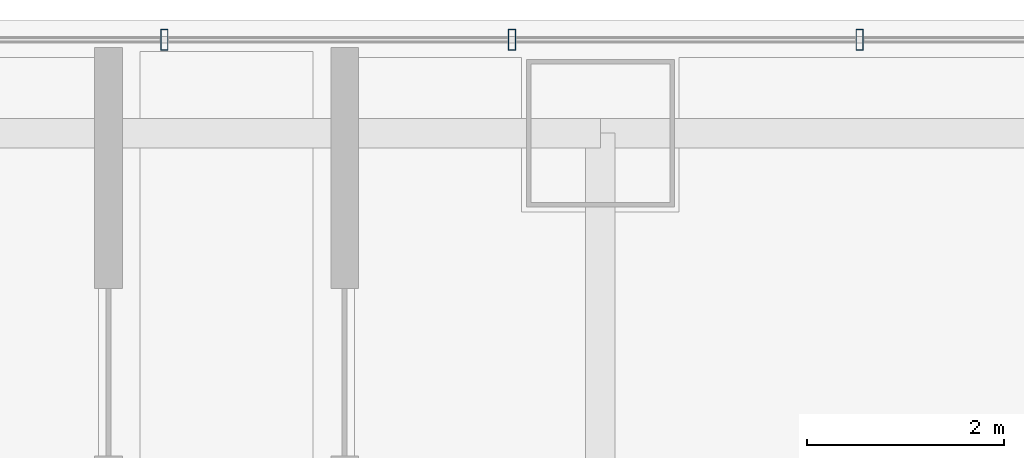
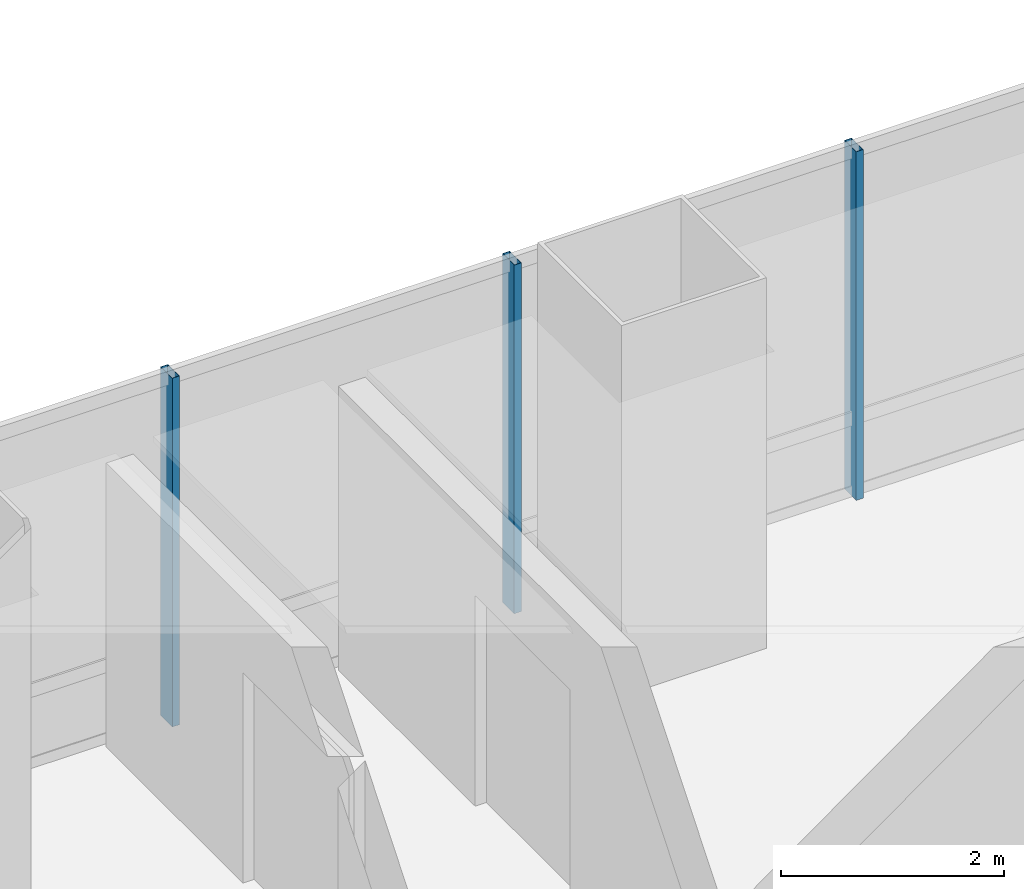
# One storey, part 23 of 36: 3 members, 1 element without a shape of its own.
"""IFC4 building model written with IfcOpenShell, lengths in metres."""

from ifc_helpers import new_model, si_unit, direction, frame, origin, origin_2d, place, context, subcontext, project, spatial, hollow_rectangle, extrude, material, material_profile, profile_set, type_object, element, aggregate, save


model = new_model("IFC4")

# Units and contexts
model_context = context("Model", 3, precision=1e-05, world=origin(), true_north=direction((0.0, 1.0)))
body_context = subcontext(model_context, "Body", "Model", "MODEL_VIEW")
ifc_project = project(units=[si_unit("LENGTHUNIT", "METRE"), si_unit("AREAUNIT", "SQUARE_METRE"), si_unit("VOLUMEUNIT", "CUBIC_METRE"), si_unit("PLANEANGLEUNIT", "RADIAN"), si_unit("MASSUNIT", "GRAM", prefix="KILO")], contexts=[model_context])

# Site, building, storey
site_placement = place(None, origin())
site = spatial("IfcSite", under=ifc_project, at=site_placement, CompositionType="ELEMENT")
building_placement = place(site_placement, origin())
building = spatial("IfcBuilding", under=site, at=building_placement, Name="Punatoya Terracotta Tower", CompositionType="ELEMENT")
storey_placement = place(building_placement, frame((0.0, 0.0, 48.449951171875)))
storey = spatial("IfcBuildingStorey", under=building, at=storey_placement, Name="L10", CompositionType="ELEMENT", Elevation=48.449951171875)

# Curtain wall, members
ifc_material_1 = material(Name="Aluminium 6063-T6 + Double Low-E Glass", Category="aluminium")
curtain_wall_type = type_object("IfcCurtainWallType", Name="CW-M1", PredefinedType="NOTDEFINED", material=ifc_material_1)
curtain_wall_placement = place(storey_placement, origin())
curtain_wall = element("IfcCurtainWall", 1, at=curtain_wall_placement, inside=storey, type_object=curtain_wall_type, Name="L10 Curtain Wall CW-L10-N09-1", PredefinedType="NOTDEFINED")
ifc_material_2 = material(Name="Aluminium 6063-T6", Category="aluminium")
ifc_material_profile = material_profile(ifc_material_2, hollow_rectangle(XDim=0.074951171875, YDim=0.2099609375, WallThickness=0.00439453125, at=origin_2d()))
ifc_profile_set = profile_set([ifc_material_profile], Name="Aluminium 6063-T6")
member_type = type_object("IfcMemberType", Name="CW-MUL-M1", PredefinedType="MULLION", material=ifc_profile_set)
member_1_placement = place(storey_placement, frame((6.43505859375, 18.449951171875, 0.0), z_axis=(0.0, 0.0, 1.0), x_axis=(1.0, 0.0, 0.0)))
member_1 = element("IfcMember", 2, at=member_1_placement, type_object=member_type, Name="CW-L10-N09-1 Mullion 03", PredefinedType="MULLION", context=body_context, shape_type="SweptSolid", body=[
    extrude(hollow_rectangle(XDim=0.074951171875, YDim=0.2099609375, WallThickness=0.00439453125, at=origin_2d()), origin(), (0.0, 0.0, 1.0), 3.81005859375),
])
member_2_placement = place(storey_placement, frame((2.90087890625, 18.449951171875, 0.0), z_axis=(0.0, 0.0, 1.0), x_axis=(1.0, 0.0, 0.0)))
member_2 = element("IfcMember", 3, at=member_2_placement, type_object=member_type, Name="CW-L10-N09-1 Mullion 04", PredefinedType="MULLION", context=body_context, shape_type="SweptSolid", body=[
    extrude(hollow_rectangle(XDim=0.074951171875, YDim=0.2099609375, WallThickness=0.00439453125, at=origin_2d()), origin(), (0.0, 0.0, 1.0), 3.81005859375),
])
member_3_placement = place(storey_placement, frame((-0.633056640625, 18.449951171875, 0.0), z_axis=(0.0, 0.0, 1.0), x_axis=(1.0, 0.0, 0.0)))
member_3 = element("IfcMember", 4, at=member_3_placement, type_object=member_type, Name="CW-L10-N09-1 Mullion 05", PredefinedType="MULLION", context=body_context, shape_type="SweptSolid", body=[
    extrude(hollow_rectangle(XDim=0.074951171875, YDim=0.2099609375, WallThickness=0.00439453125, at=origin_2d()), origin(), (0.0, 0.0, 1.0), 3.81005859375),
])
aggregate(curtain_wall, [member_1, member_2, member_3])

save(model, "model.ifc")
